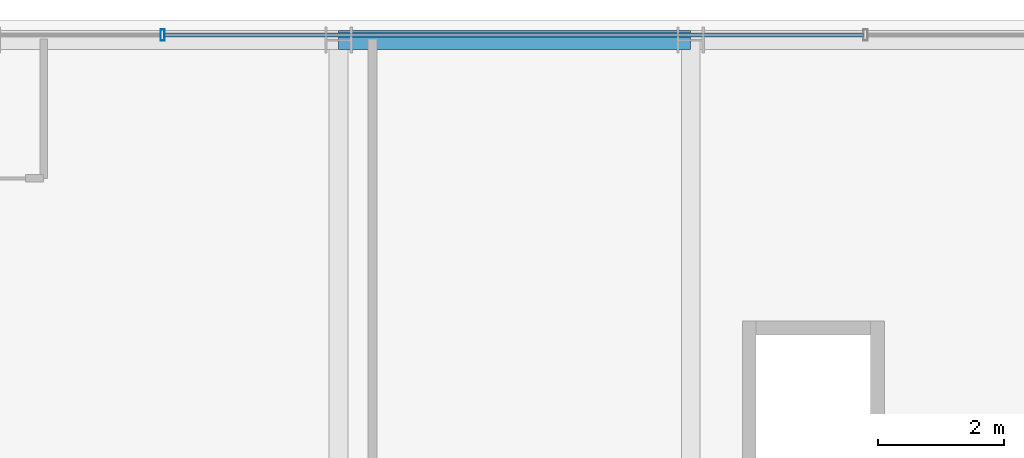
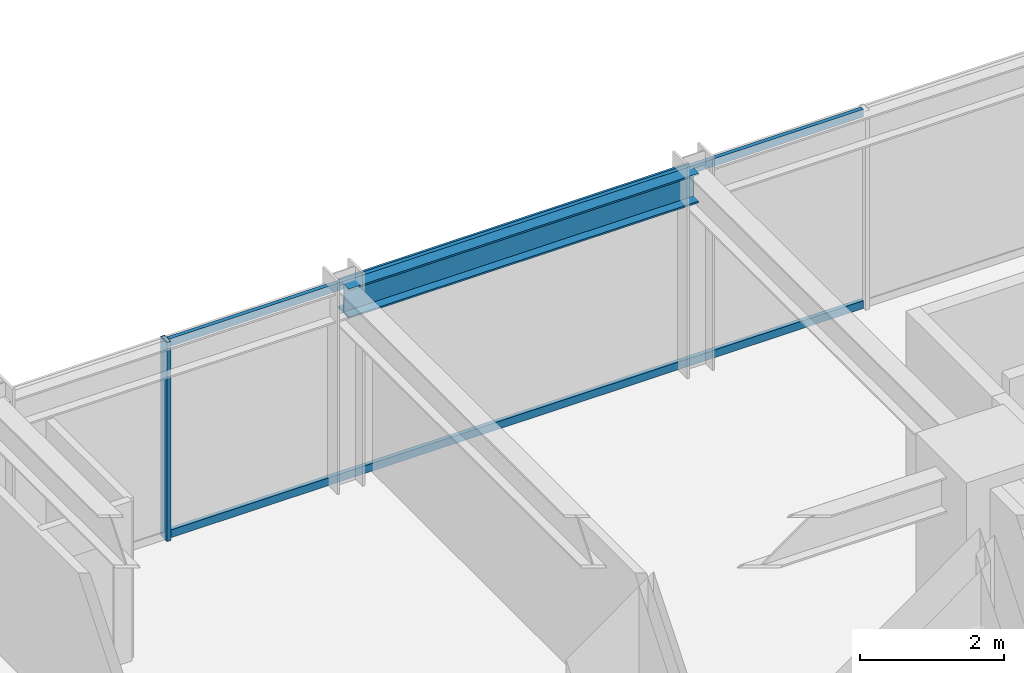
# One storey, part 23 of 36: 3 members, 1 beam, 1 element without a shape of its own.
"""IFC4 building model written with IfcOpenShell, lengths in metres."""

from ifc_helpers import new_model, si_unit, direction, frame, origin, origin_2d, place, context, subcontext, project, spatial, hollow_rectangle, i_section, extrude, source, transform, mapped, material, material_profile, profile_set, type_object, element, aggregate, save


model = new_model("IFC4")

# Units and contexts
model_context = context("Model", 3, precision=1e-05, world=origin(), true_north=direction((0.0, 1.0)))
body_context = subcontext(model_context, "Body", "Model", "MODEL_VIEW")
ifc_project = project(units=[si_unit("LENGTHUNIT", "METRE"), si_unit("AREAUNIT", "SQUARE_METRE"), si_unit("VOLUMEUNIT", "CUBIC_METRE"), si_unit("PLANEANGLEUNIT", "RADIAN"), si_unit("MASSUNIT", "GRAM", prefix="KILO")], contexts=[model_context])

# Site, building, storey
site_placement = place(None, origin())
site = spatial("IfcSite", under=ifc_project, at=site_placement, CompositionType="ELEMENT")
building_placement = place(site_placement, origin())
building = spatial("IfcBuilding", under=site, at=building_placement, Name="Nahalor Promenade Grand Hotel", CompositionType="ELEMENT")
storey_placement = place(building_placement, frame((0.0, 0.0, 72.550048828125)))
storey = spatial("IfcBuildingStorey", under=building, at=storey_placement, Name="L17", CompositionType="ELEMENT", Elevation=72.550048828125)

# Beam
ifc_material_1 = material(Name="Steel S355JR", Category="steel")
ifc_material_profile_1 = material_profile(ifc_material_1, i_section(OverallWidth=0.3, OverallDepth=0.5, WebThickness=0.0145, FlangeThickness=0.028, at=origin_2d()), Name="HEB 500")
ifc_profile_set_1 = profile_set([ifc_material_profile_1], Name="Steel S355JR")
beam_type = type_object("IfcBeamType", Name="Beam-Spandrel-HEB500", PredefinedType="SPANDREL", material=ifc_profile_set_1)
shared_shape_1 = source(origin(), body_context, "Body", "SweptSolid", [
    extrude(i_section(OverallWidth=0.3, OverallDepth=0.5, WebThickness=0.0145, FlangeThickness=0.028, at=origin_2d()), origin(), (0.0, 0.0, 1.0), 5.599853515625),
])
beam_placement = place(storey_placement, frame((2.800048828125, 25.080078125, 3.119873046875), z_axis=(1.0, 0.0, 0.0), x_axis=(0.0, 1.0, 0.0)))
element("IfcBeam", 1, at=beam_placement, inside=storey, type_object=beam_type, Name="BM-L17-SP-N-3", PredefinedType="SPANDREL", context=body_context, shape_type="MappedRepresentation", body=[
    mapped(shared_shape_1, transform((0.0, 0.0, 0.0), scale=1.0)),
])

# Curtain wall, members
ifc_material_2 = material(Name="Anodised Bronze Aluminium EN AW-6063 T6", Category="aluminium")
curtain_wall_type = type_object("IfcCurtainWallType", Name="CW2 Typical Hotel Flush Bronze Unitised Curtain Wall", PredefinedType="USERDEFINED", material=ifc_material_2)
curtain_wall_placement = place(storey_placement, origin())
curtain_wall = element("IfcCurtainWall", 2, at=curtain_wall_placement, inside=storey, type_object=curtain_wall_type, Name="L17 Curtain Wall CW-L17-N-1", ObjectType="UNITISED_CURTAIN_WALL", PredefinedType="USERDEFINED")
ifc_material_profile_2 = material_profile(ifc_material_2, hollow_rectangle(XDim=0.065, YDim=0.13, WallThickness=0.004, at=origin_2d()), Name="CWT 65x130x4")
ifc_profile_set_2 = profile_set([ifc_material_profile_2], Name="Anodised Bronze Aluminium EN AW-6063 T6")
member_type_1 = type_object("IfcMemberType", Name="CWT2 Typical Bronze Transom 65x130", PredefinedType="USERDEFINED", material=ifc_profile_set_2)
shared_shape_2 = source(origin(), body_context, "Body", "SweptSolid", [
    extrude(hollow_rectangle(XDim=0.065, YDim=0.13, WallThickness=0.004, at=origin_2d()), origin(), (0.0, 0.0, 1.0), 11.114990234375),
])
member_1_placement = place(storey_placement, frame((0.032470703125, 25.159912109375, 0.06494140625), z_axis=(1.0, 0.0, 0.0), x_axis=(0.0, 1.0, 0.0)))
member_1 = element("IfcMember", 3, at=member_1_placement, type_object=member_type_1, Name="CW-L17-N-1 Transom 2-0", ObjectType="TRANSOM", PredefinedType="USERDEFINED", context=body_context, shape_type="MappedRepresentation", body=[
    mapped(shared_shape_2, transform((0.0, 0.0, 0.0), scale=1.0)),
])
member_2_placement = place(storey_placement, frame((0.032470703125, 25.159912109375, 3.304931640625), z_axis=(1.0, 0.0, 0.0), x_axis=(0.0, 1.0, 0.0)))
member_2 = element("IfcMember", 4, at=member_2_placement, type_object=member_type_1, Name="CW-L17-N-1 Transom 2-1", ObjectType="TRANSOM", PredefinedType="USERDEFINED", context=body_context, shape_type="MappedRepresentation", body=[
    mapped(shared_shape_2, transform((0.0, 0.0, 0.0), scale=1.0)),
])
ifc_material_profile_3 = material_profile(ifc_material_2, hollow_rectangle(XDim=0.065, YDim=0.18, WallThickness=0.004, at=origin_2d()), Name="CWM 65x180x4")
ifc_profile_set_3 = profile_set([ifc_material_profile_3], Name="Anodised Bronze Aluminium EN AW-6063 T6")
member_type_2 = type_object("IfcMemberType", Name="CWM2 Typical Bronze Mullion 65x180", PredefinedType="MULLION", material=ifc_profile_set_3)
shared_shape_3 = source(origin(), body_context, "Body", "SweptSolid", [
    extrude(hollow_rectangle(XDim=0.065, YDim=0.18, WallThickness=0.004, at=origin_2d()), origin(), (0.0, 0.0, 1.0), 3.369873046875),
])
member_3_placement = place(storey_placement, frame((0.0, 25.159912109375, 0.0), z_axis=(0.0, 0.0, 1.0), x_axis=(1.0, 0.0, 0.0)))
member_3 = element("IfcMember", 5, at=member_3_placement, type_object=member_type_2, Name="CW-L17-N-1 Mullion 2", PredefinedType="MULLION", context=body_context, shape_type="MappedRepresentation", body=[
    mapped(shared_shape_3, transform((0.0, 0.0, 0.0), scale=1.0)),
])
aggregate(curtain_wall, [member_3, member_1, member_2])

save(model, "model.ifc")
